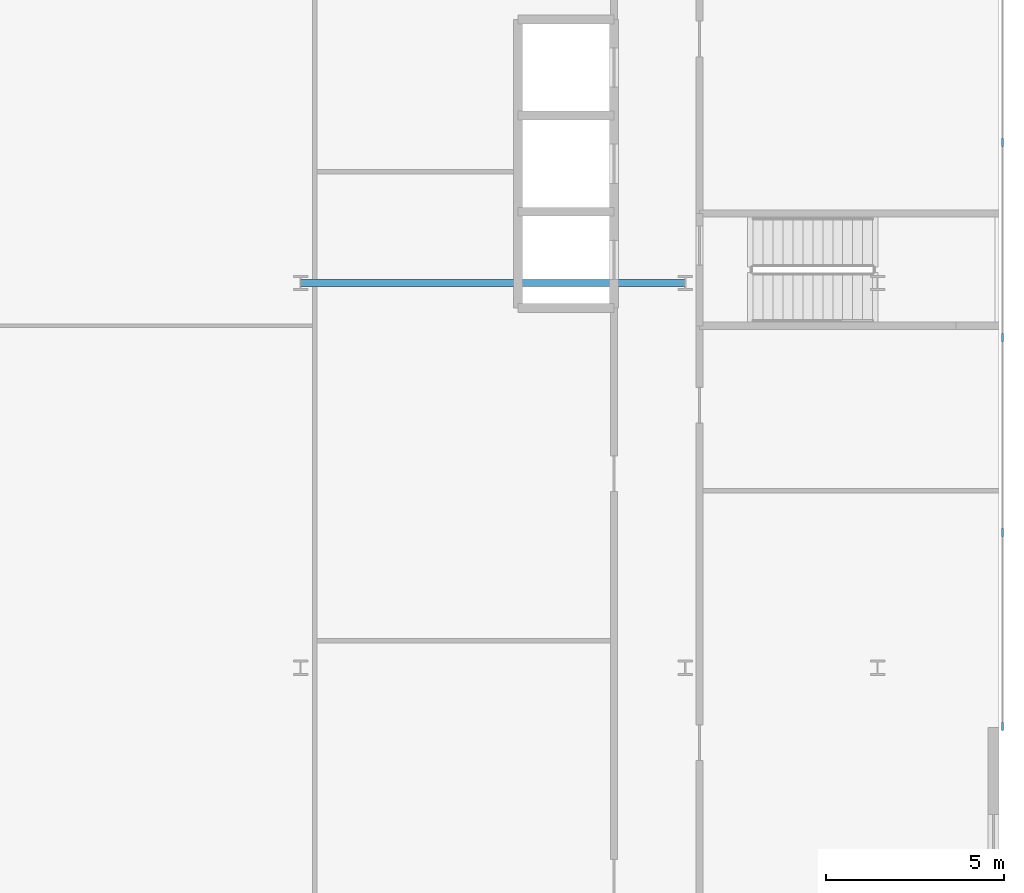
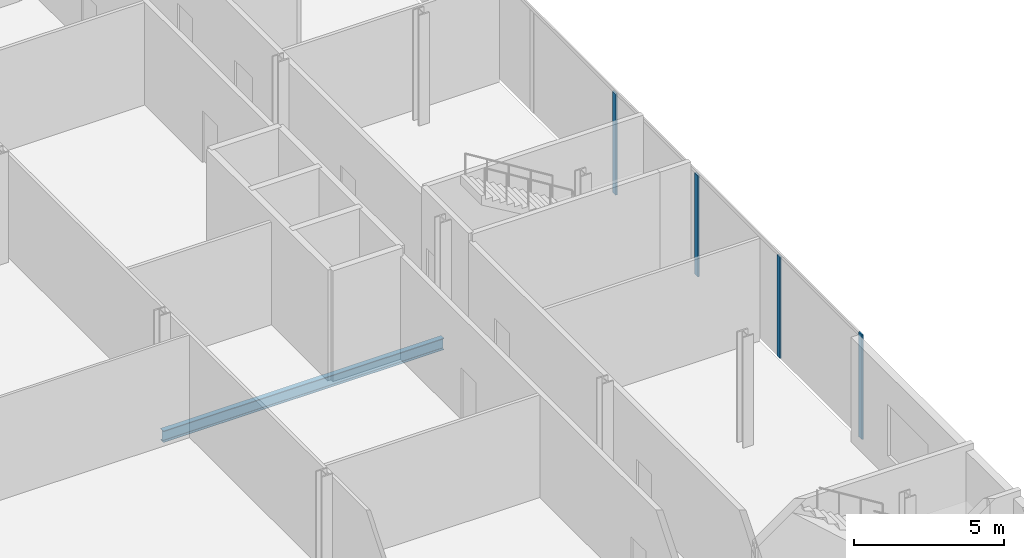
# One storey, part 14 of 47: 4 members, 1 beam, 1 element without a shape of its own.
"""IFC4 building model written with IfcOpenShell, lengths in metres."""

from ifc_helpers import new_model, si_unit, direction, frame, origin, origin_2d, place, context, subcontext, project, spatial, rectangle, i_section, extrude, material, layer, layer_set, material_profile, profile_set, type_object, element, aggregate, save


model = new_model("IFC4")

# Units and contexts
model_context = context("Model", 3, precision=1e-05, world=origin(), true_north=direction((0.0, 1.0)))
body_context = subcontext(model_context, "Body", "Model", "MODEL_VIEW")
ifc_project = project(units=[si_unit("LENGTHUNIT", "METRE"), si_unit("AREAUNIT", "SQUARE_METRE"), si_unit("VOLUMEUNIT", "CUBIC_METRE"), si_unit("PLANEANGLEUNIT", "RADIAN"), si_unit("MASSUNIT", "GRAM", prefix="KILO")], contexts=[model_context])

# Site, building, storey
site_placement = place(None, origin())
site = spatial("IfcSite", under=ifc_project, at=site_placement, CompositionType="ELEMENT")
building_placement = place(site_placement, origin())
building = spatial("IfcBuilding", under=site, at=building_placement, Name="Kheshtan School and Residences Tower", CompositionType="ELEMENT")
storey_placement = place(building_placement, frame((0.0, 0.0, 21.5)))
storey = spatial("IfcBuildingStorey", under=building, at=storey_placement, Name="L04", CompositionType="ELEMENT", Elevation=21.5)

# Beam
ifc_material_1 = material(Name="Steel ASTM A992 Grade 50", Category="steel")
ifc_material_profile_1 = material_profile(ifc_material_1, i_section(OverallWidth=0.194091796875, OverallDepth=0.468994140625, WebThickness=0.0126953125, FlangeThickness=0.0205078125, FilletRadius=0.01416015625, at=origin_2d()), Name="W460x106")
ifc_profile_set_1 = profile_set([ifc_material_profile_1], Name="Steel ASTM A992 Grade 50")
beam_type = type_object("IfcBeamType", Name="Beam PB2 W460x106 ASTM A992 Grade 50", PredefinedType="BEAM", material=ifc_profile_set_1)
beam_placement = place(storey_placement, frame((112.39990234375, 67.199951171875, -0.554443359375), z_axis=(1.0, 0.0, 0.0), x_axis=(0.0, 1.0, 0.0)))
element("IfcBeam", 1, at=beam_placement, inside=storey, type_object=beam_type, Name="Podium floor beam PB2", PredefinedType="BEAM", context=body_context, shape_type="SweptSolid", body=[
    extrude(i_section(OverallWidth=0.194091796875, OverallDepth=0.468994140625, WebThickness=0.0126953125, FlangeThickness=0.0205078125, FilletRadius=0.01416015625, at=origin_2d()), origin(), (0.0, 0.0, 1.0), 10.800048828125),
])

# Curtain wall, members
ifc_material_2 = material(Name="Clear low-e glass in thermally broken aluminium frame", Category="aluminium")
ifc_layer = layer(ifc_material_2, 0.22509765625)
ifc_layer_set = layer_set([ifc_layer], Name="Curtain wall CW-P")
curtain_wall_type = type_object("IfcCurtainWallType", Name="Curtain wall CW-P", PredefinedType="NOTDEFINED", material=ifc_layer_set)
curtain_wall_placement = place(storey_placement, origin())
curtain_wall = element("IfcCurtainWall", 2, at=curtain_wall_placement, inside=storey, type_object=curtain_wall_type, Name="Curtain wall CWP8a", PredefinedType="NOTDEFINED")
ifc_material_3 = material(Name="Thermally broken aluminium, dark bronze anodised", Category="aluminium")
ifc_material_profile_2 = material_profile(ifc_material_3, rectangle(XDim=0.06005859375, YDim=0.22509765625, at=origin_2d()), Name="CW-P mullion 60x225")
ifc_profile_set_2 = profile_set([ifc_material_profile_2], Name="Thermally broken aluminium, dark bronze anodised")
member_type = type_object("IfcMemberType", Name="CW-P mullion 60x225", PredefinedType="MULLION", material=ifc_profile_set_2)
member_1_placement = place(storey_placement, frame((132.10009765625, 71.146728515625, 0.0), z_axis=(0.0, 0.0, 1.0), x_axis=(1.0, 0.0, 0.0)))
member_1 = element("IfcMember", 3, at=member_1_placement, type_object=member_type, Name="CWP8a mullion 7", PredefinedType="MULLION", context=body_context, shape_type="SweptSolid", body=[
    extrude(rectangle(XDim=0.06005859375, YDim=0.22509765625, at=origin_2d()), origin(), (0.0, 0.0, 1.0), 4.110107421875),
])
member_2_placement = place(storey_placement, frame((132.10009765625, 65.671142578125, 0.0), z_axis=(0.0, 0.0, 1.0), x_axis=(1.0, 0.0, 0.0)))
member_2 = element("IfcMember", 4, at=member_2_placement, type_object=member_type, Name="CWP8a mullion 8", PredefinedType="MULLION", context=body_context, shape_type="SweptSolid", body=[
    extrude(rectangle(XDim=0.06005859375, YDim=0.22509765625, at=origin_2d()), origin(), (0.0, 0.0, 1.0), 4.110107421875),
])
member_3_placement = place(storey_placement, frame((132.10009765625, 60.195556640625, 0.0), z_axis=(0.0, 0.0, 1.0), x_axis=(1.0, 0.0, 0.0)))
member_3 = element("IfcMember", 5, at=member_3_placement, type_object=member_type, Name="CWP8a mullion 9", PredefinedType="MULLION", context=body_context, shape_type="SweptSolid", body=[
    extrude(rectangle(XDim=0.06005859375, YDim=0.22509765625, at=origin_2d()), origin(), (0.0, 0.0, 1.0), 4.110107421875),
])
member_4_placement = place(storey_placement, frame((132.10009765625, 54.75, 0.0), z_axis=(0.0, 0.0, 1.0), x_axis=(1.0, 0.0, 0.0)))
member_4 = element("IfcMember", 6, at=member_4_placement, type_object=member_type, Name="CWP8a mullion 10", PredefinedType="MULLION", context=body_context, shape_type="SweptSolid", body=[
    extrude(rectangle(XDim=0.06005859375, YDim=0.22509765625, at=origin_2d()), origin(), (0.0, 0.0, 1.0), 4.25),
])
aggregate(curtain_wall, [member_1, member_2, member_3, member_4])

save(model, "model.ifc")
